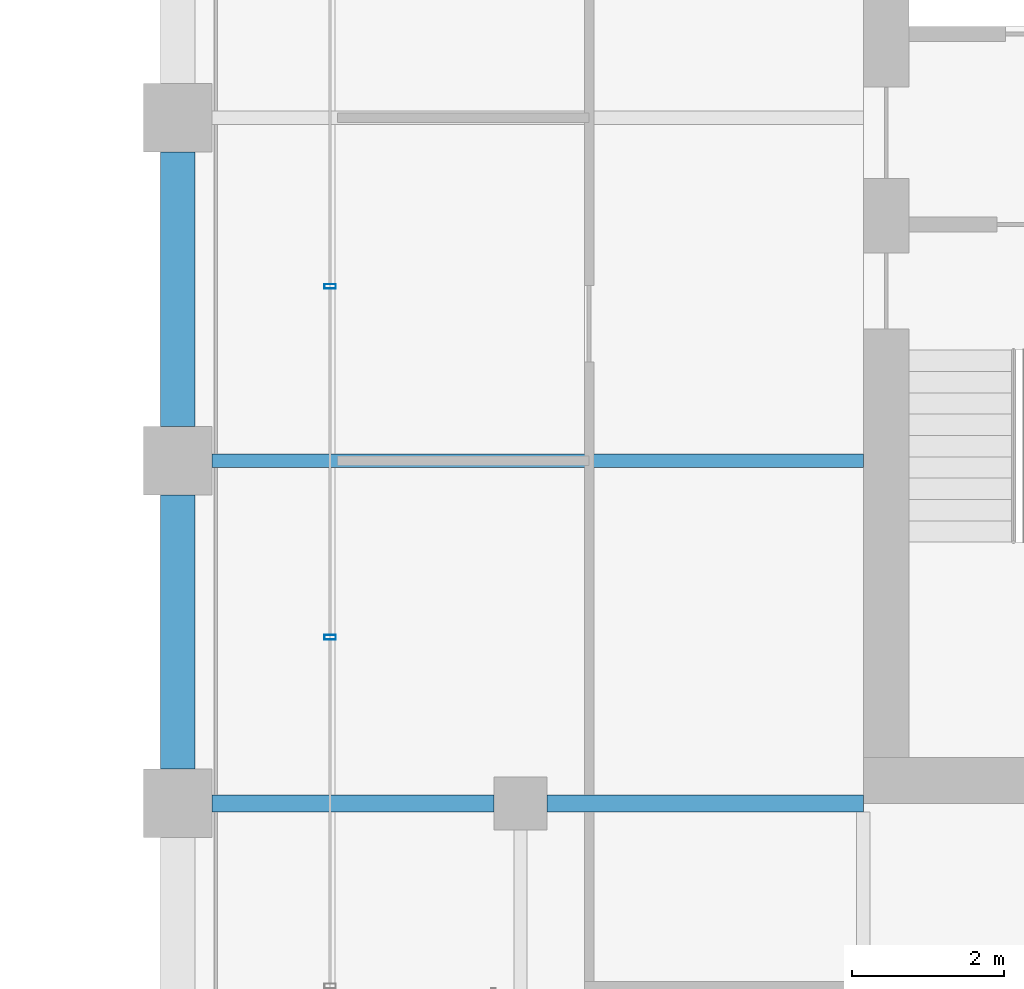
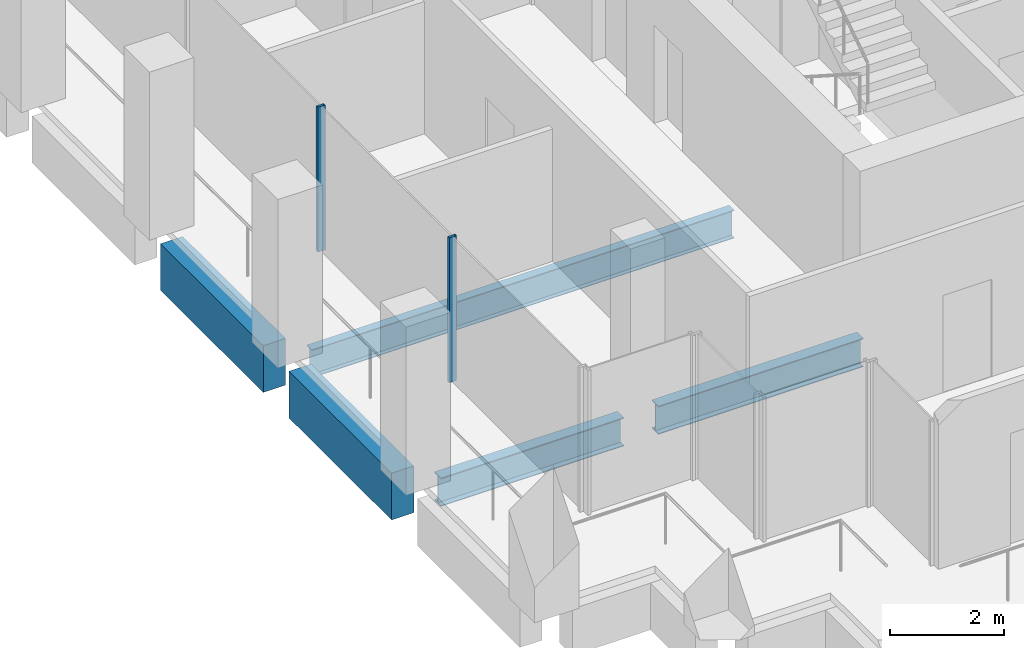
# One storey, part 30 of 40: 5 beams, 2 members, 1 element without a shape of its own.
"""IFC4 building model written with IfcOpenShell, lengths in metres."""

from ifc_helpers import new_model, si_unit, direction, frame, origin, origin_2d, place, context, subcontext, project, spatial, rectangle, hollow_rectangle, i_section, extrude, material, material_profile, profile_set, type_object, element, aggregate, save


model = new_model("IFC4")

# Units and contexts
model_context = context("Model", 3, precision=1e-05, world=origin(), true_north=direction((0.0, 1.0)))
body_context = subcontext(model_context, "Body", "Model", "MODEL_VIEW")
ifc_project = project(units=[si_unit("LENGTHUNIT", "METRE"), si_unit("AREAUNIT", "SQUARE_METRE"), si_unit("VOLUMEUNIT", "CUBIC_METRE"), si_unit("PLANEANGLEUNIT", "RADIAN"), si_unit("MASSUNIT", "GRAM", prefix="KILO")], contexts=[model_context])

# Site, building, storey
site_placement = place(None, origin())
site = spatial("IfcSite", under=ifc_project, at=site_placement, CompositionType="ELEMENT")
building_placement = place(site_placement, origin())
building = spatial("IfcBuilding", under=site, at=building_placement, Name="Altepetl Exchange Towers", CompositionType="ELEMENT")
storey_placement = place(building_placement, frame((0.0, 0.0, 151.0)))
storey = spatial("IfcBuildingStorey", under=building, at=storey_placement, Name="L37", CompositionType="ELEMENT", Elevation=151.0)

# Beams
ifc_material_1 = material(Name="Steel S355", Category="steel")
ifc_material_profile_1 = material_profile(ifc_material_1, i_section(OverallWidth=0.177978515625, OverallDepth=0.59912109375, WebThickness=0.010009765625, FlangeThickness=0.0126953125, at=origin_2d()), Name="W24X55")
ifc_profile_set_1 = profile_set([ifc_material_profile_1], Name="Steel S355")
beam_type_1 = type_object("IfcBeamType", Name="Floor beam W24X55", PredefinedType="BEAM", material=ifc_profile_set_1)
beam_1_placement = place(storey_placement, frame((94.949951171875, 40.5, -0.449462890625), z_axis=(1.0, 0.0, 0.0), x_axis=(0.0, 1.0, 0.0)))
element("IfcBeam", 1, at=beam_1_placement, inside=storey, type_object=beam_type_1, Name="bm:B:L37:004", PredefinedType="BEAM", context=body_context, shape_type="SweptSolid", body=[
    extrude(i_section(OverallWidth=0.177978515625, OverallDepth=0.59912109375, WebThickness=0.010009765625, FlangeThickness=0.0126953125, at=origin_2d()), origin(), (0.0, 0.0, 1.0), 8.550048828125),
])
ifc_material_profile_2 = material_profile(ifc_material_1, i_section(OverallWidth=0.22802734375, OverallDepth=0.60791015625, WebThickness=0.01123046875, FlangeThickness=0.017333984375, at=origin_2d()), Name="W24X76")
ifc_profile_set_2 = profile_set([ifc_material_profile_2], Name="Steel S355")
beam_type_2 = type_object("IfcBeamType", Name="Girder W24X76", PredefinedType="BEAM", material=ifc_profile_set_2)
beam_2_placement = place(storey_placement, frame((103.5, 36.0, -0.4541015625), z_axis=(-1.0, 0.0, 0.0), x_axis=(0.0, -1.0, 0.0)))
element("IfcBeam", 2, at=beam_2_placement, inside=storey, type_object=beam_type_2, Name="gd:B:L37:000", PredefinedType="BEAM", context=body_context, shape_type="SweptSolid", body=[
    extrude(i_section(OverallWidth=0.22802734375, OverallDepth=0.60791015625, WebThickness=0.01123046875, FlangeThickness=0.017333984375, at=origin_2d()), origin(), (0.0, 0.0, 1.0), 4.14990234375),
])
beam_3_placement = place(storey_placement, frame((98.64990234375, 36.0, -0.4541015625), z_axis=(-1.0, 0.0, 0.0), x_axis=(0.0, -1.0, 0.0)))
element("IfcBeam", 3, at=beam_3_placement, inside=storey, type_object=beam_type_2, Name="gd:B:L37:001", PredefinedType="BEAM", context=body_context, shape_type="SweptSolid", body=[
    extrude(i_section(OverallWidth=0.22802734375, OverallDepth=0.60791015625, WebThickness=0.01123046875, FlangeThickness=0.017333984375, at=origin_2d()), origin(), (0.0, 0.0, 1.0), 3.699951171875),
])

# Curtain wall, members
ifc_material_2 = material(Name="Aluminium 6063-T6 glazing", Category="aluminium")
curtain_wall_type = type_object("IfcCurtainWallType", Name="Loggia glazing system", PredefinedType="NOTDEFINED", material=ifc_material_2)
curtain_wall_placement = place(storey_placement, origin())
curtain_wall = element("IfcCurtainWall", 4, at=curtain_wall_placement, inside=storey, type_object=curtain_wall_type, Name="CW1 run", PredefinedType="NOTDEFINED")
ifc_material_3 = material(Name="Aluminium 6063-T6", Category="aluminium")
ifc_material_profile_3 = material_profile(ifc_material_3, hollow_rectangle(XDim=0.06005859375, YDim=0.14990234375, WallThickness=0.0029296875, at=origin_2d()), Name="Mullion 60x150 aluminium")
ifc_profile_set_3 = profile_set([ifc_material_profile_3], Name="Aluminium 6063-T6")
member_type = type_object("IfcMemberType", Name="Mullion 60x150 aluminium", PredefinedType="MULLION", material=ifc_profile_set_3)
member_1_placement = place(storey_placement, frame((96.5, 42.78759765625, 0.0), z_axis=(0.0, 0.0, 1.0), x_axis=(0.0, -1.0, 0.0)))
member_1 = element("IfcMember", 5, at=member_1_placement, type_object=member_type, Name="MU1 mullion", PredefinedType="MULLION", context=body_context, shape_type="SweptSolid", body=[
    extrude(hollow_rectangle(XDim=0.06005859375, YDim=0.14990234375, WallThickness=0.0029296875, at=origin_2d()), origin(), (0.0, 0.0, 1.0), 3.10009765625),
])
member_2_placement = place(storey_placement, frame((96.5, 38.18115234375, 0.0), z_axis=(0.0, 0.0, 1.0), x_axis=(0.0, -1.0, 0.0)))
member_2 = element("IfcMember", 6, at=member_2_placement, type_object=member_type, Name="MU1 mullion", PredefinedType="MULLION", context=body_context, shape_type="SweptSolid", body=[
    extrude(hollow_rectangle(XDim=0.06005859375, YDim=0.14990234375, WallThickness=0.0029296875, at=origin_2d()), origin(), (0.0, 0.0, 1.0), 3.10009765625),
])
aggregate(curtain_wall, [member_1, member_2])

# Beams
ifc_material_4 = material(Name="Concrete C50/60 precast with cantera rosa facing", Category="concrete")
ifc_material_profile_4 = material_profile(ifc_material_4, rectangle(XDim=0.449951171875, YDim=1.0, at=origin_2d()), Name="450 x 1000")
ifc_profile_set_4 = profile_set([ifc_material_profile_4], Name="Concrete C50/60 precast with cantera rosa facing")
beam_type_3 = type_object("IfcBeamType", Name="Spandrel beam 450x1000 cantera rosa", PredefinedType="SPANDREL", material=ifc_profile_set_4)
for number, where, z_axis, x_axis, name in (
    (7, (94.5, 44.550048828125, -0.64990234375), (0.0, -1.0, 0.0), (1.0, 0.0, 0.0), "sp:B:L37:017"),
    (8, (94.5, 40.050048828125, -0.64990234375), (0.0, -1.0, 0.0), (1.0, 0.0, 0.0), "sp:B:L37:018"),
):
    element("IfcBeam", number, at=place(storey_placement, frame(where, z_axis=z_axis, x_axis=x_axis)), inside=storey, type_object=beam_type_3, Name=name, PredefinedType="SPANDREL", context=body_context, shape_type="SweptSolid", body=[
        extrude(rectangle(XDim=0.449951171875, YDim=1.0, at=origin_2d()), origin(), (0.0, 0.0, 1.0), 3.60009765625),
    ])

save(model, "model.ifc")
